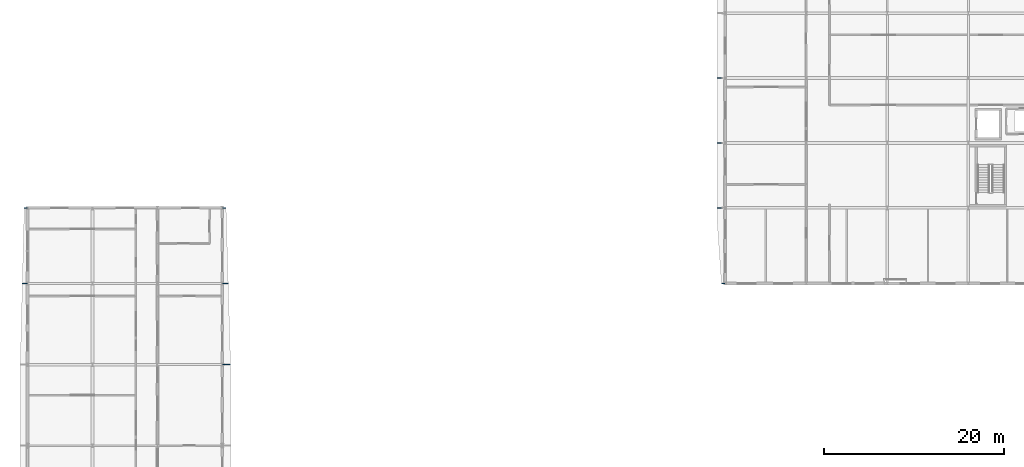
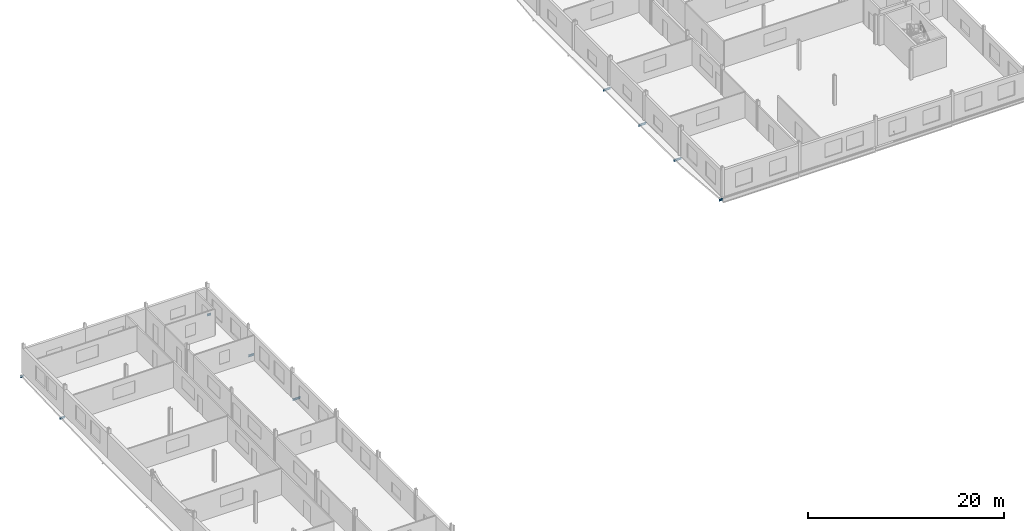
# One storey, part 13 of 30: 9 beams.
"""IFC4 building model written with IfcOpenShell, lengths in metres."""

import ifcopenshell
import ifcopenshell.guid

model = None  # the IFC model being written
_history = None  # IfcOwnerHistory: only IFC2X3 demands one
_inside = {}  # id of a spatial element -> (the spatial element, [elements in it])
_under = {}  # id of a project, library or spatial element -> (it, [spatial elements below it])
_declared = {}  # id of a project -> (the project, [libraries it declares])
_typed = {}  # id of a type object -> (the type object, [elements of that type])
_made_of = {}  # id of a material, layer set ... -> (it, [elements and type objects made of it])


def new_model(schema):
    """Start an empty IFC model of exactly this schema.

    Asked for "IFC4X3", IfcOpenShell would pick the latest addendum, in which some entities
    have other attributes; the version numbers below select the first issue.
    IFC2X3 requires an IfcOwnerHistory on every rooted entity: one is made here for all.
    """
    global model, _history
    if schema == "IFC4X3":
        model = ifcopenshell.file(schema_version=(4, 3, 0, 0))
    else:
        model = ifcopenshell.file(schema=schema)
    _inside.clear()
    _under.clear()
    _declared.clear()
    _typed.clear()
    _made_of.clear()
    _history = None
    if model.schema == "IFC2X3":
        org = make("IfcOrganization", Name="unknown")
        user = make(
            "IfcPersonAndOrganization",
            ThePerson=make("IfcPerson", FamilyName="unknown"),
            TheOrganization=org,
        )
        app = make(
            "IfcApplication",
            ApplicationDeveloper=org,
            Version="unknown",
            ApplicationFullName="unknown",
            ApplicationIdentifier="unknown",
        )
        _history = make(
            "IfcOwnerHistory",
            OwningUser=user,
            OwningApplication=app,
            ChangeAction="ADDED",
            CreationDate=0,
        )
    return model


def make(cls, **values):
    """One entity of the class cls with the attributes given. An attribute that is None is left unset."""
    return model.create_entity(
        cls, **{name: value for name, value in values.items() if value is not None}
    )


def rooted(cls, **values):
    """An entity with a GlobalId (a new one), such as an element, a storey or a relation."""
    return make(cls, GlobalId=ifcopenshell.guid.new(), OwnerHistory=_history, **values)


def si_unit(unit_type, name, prefix=None):
    """IfcSIUnit, for example si_unit("LENGTHUNIT", "METRE", prefix="MILLI")."""
    return make("IfcSIUnit", UnitType=unit_type, Prefix=prefix, Name=name)


def assignment(units):
    """IfcUnitAssignment: the units of a project."""
    return None if units is None else make("IfcUnitAssignment", Units=units)


def point(xyz):
    """IfcCartesianPoint."""
    return None if xyz is None else make("IfcCartesianPoint", Coordinates=xyz)


def direction(xyz):
    """IfcDirection."""
    return None if xyz is None else make("IfcDirection", DirectionRatios=xyz)


def frame(location, z_axis=None, x_axis=None):
    """IfcAxis2Placement3D, a coordinate frame: its origin and axes. An axis left out is left unset."""
    return make(
        "IfcAxis2Placement3D",
        Location=point(location),
        Axis=direction(z_axis),
        RefDirection=direction(x_axis),
    )


def frame_2d(location, x_axis=None):
    """IfcAxis2Placement2D, a coordinate frame in the plane: its origin and x axis."""
    return make(
        "IfcAxis2Placement2D", Location=point(location), RefDirection=direction(x_axis)
    )


def origin():
    """The frame at (0, 0, 0) with its axes left unset."""
    return frame((0.0, 0.0, 0.0))


def origin_2d():
    """The frame at (0, 0) in the plane with its x axis left unset."""
    return frame_2d((0.0, 0.0))


def place(relative_to, where):
    """IfcLocalPlacement: puts the frame where relative to a parent placement (None: the world)."""
    return make(
        "IfcLocalPlacement", PlacementRelTo=relative_to, RelativePlacement=where
    )


def context(
    kind, dimensions, precision=None, world=None, true_north=None, identifier=None
):
    """IfcGeometricRepresentationContext, for example the 3D "Model" context."""
    return make(
        "IfcGeometricRepresentationContext",
        ContextIdentifier=identifier,
        ContextType=kind,
        CoordinateSpaceDimension=dimensions,
        Precision=precision,
        WorldCoordinateSystem=world,
        TrueNorth=true_north,
    )


def subcontext(parent, identifier, kind, view, scale=None):
    """IfcGeometricRepresentationSubContext, for example "Body" below "Model"."""
    return make(
        "IfcGeometricRepresentationSubContext",
        ContextIdentifier=identifier,
        ContextType=kind,
        ParentContext=parent,
        TargetScale=scale,
        TargetView=view,
    )


def project(units=None, contexts=None):
    """IfcProject with its units and contexts."""
    return rooted(
        "IfcProject",
        Name="project",
        RepresentationContexts=contexts,
        UnitsInContext=assignment(units),
    )


def spatial(cls, under=None, at=None, **own):
    """A site, building, storey or space (cls), placed at a placement, below another one or the project."""
    s = rooted(cls, ObjectPlacement=at, **own)
    if under is not None:
        _under.setdefault(under.id(), (under, []))[1].append(s)
    return s


def profile(cls, at=None, kind="AREA", **sizes):
    """A parametric profile (cls). Its sizes go by their IFC names, for example OverallWidth=200.0."""
    return make(cls, ProfileType=kind, Position=at, **sizes)


def i_section(**sizes):
    """IfcIShapeProfileDef."""
    return profile("IfcIShapeProfileDef", **sizes)


def extrude(swept, where, along, depth):
    """IfcExtrudedAreaSolid: the profile swept, set in the frame where, extruded along a direction by depth."""
    return make(
        "IfcExtrudedAreaSolid",
        SweptArea=swept,
        Position=where,
        ExtrudedDirection=direction(along),
        Depth=depth,
    )


def shape(context_of_items, identifier, shape_type, items):
    """IfcShapeRepresentation: the items that make up one representation, for example the "Body"."""
    return make(
        "IfcShapeRepresentation",
        ContextOfItems=context_of_items,
        RepresentationIdentifier=identifier,
        RepresentationType=shape_type,
        Items=items,
    )


def material(Name=None, Category=None):
    """IfcMaterial."""
    return make("IfcMaterial", Name=Name, Category=Category)


def material_profile(
    of_material, cross_section, Name=None, Category=None, Priority=None
):
    """IfcMaterialProfile: a cross section and its material."""
    return make(
        "IfcMaterialProfile",
        Name=Name,
        Material=of_material,
        Profile=cross_section,
        Priority=Priority,
        Category=Category,
    )


def profile_set(profiles, Name=None, composite=None):
    """IfcMaterialProfileSet."""
    return make(
        "IfcMaterialProfileSet",
        Name=Name,
        MaterialProfiles=profiles,
        CompositeProfile=composite,
    )


def made_of(thing, what):
    """Note that an element or type object is made of a material, layer set ...; save() writes the relation."""
    if what is not None:
        _made_of.setdefault(what.id(), (what, []))[1].append(thing)
    return thing


def type_object(cls, material=None, **own):
    """A type object (cls), such as IfcWallType, which elements share."""
    return made_of(rooted(cls, **own), material)


def element(
    cls,
    number,
    at=None,
    inside=None,
    cuts=None,
    type_object=None,
    material=None,
    context=None,
    identifier="Body",
    shape_type=None,
    held_by="IfcProductDefinitionShape",
    body=None,
    shapes=None,
    **own,
):
    """One element of the class cls, such as IfcWall. Its Tag is "e" and its number.

    at: its placement. inside: the storey or other place that contains it. cuts: it is an
    opening in that element (IfcRelVoidsElement). A single representation is given by context,
    identifier, shape_type and body (its items); several are given by shapes. held_by: the class
    of the entity that holds the representations. save() writes the other relations.
    """
    e = rooted(cls, Tag="e%d" % number, ObjectPlacement=at, **own)
    if body is not None:
        shapes = [shape(context, identifier, shape_type, body)]
    if shapes is not None:
        e.Representation = make(held_by, Representations=shapes)
    if inside is not None:
        _inside.setdefault(inside.id(), (inside, []))[1].append(e)
    if cuts is not None:
        rooted(
            "IfcRelVoidsElement", RelatingBuildingElement=cuts, RelatedOpeningElement=e
        )
    if type_object is not None:
        _typed.setdefault(type_object.id(), (type_object, []))[1].append(e)
    return made_of(e, material)


def aggregate(whole, parts):
    """IfcRelAggregates: a whole, such as a stair, and the parts it consists of."""
    return rooted("IfcRelAggregates", RelatingObject=whole, RelatedObjects=parts)


def save(model, path):
    """Write the relations noted so far, then the file.

    IfcRelAggregates (storeys below a building ...), IfcRelContainedInSpatialStructure (elements
    in a storey), IfcRelDefinesByType, IfcRelAssociatesMaterial and IfcRelDeclares: one each for
    every whole, place, type object, material and project.
    """
    for whole, parts in _under.values():
        aggregate(whole, parts)
    for where, things in _inside.values():
        rooted(
            "IfcRelContainedInSpatialStructure",
            RelatedElements=things,
            RelatingStructure=where,
        )
    for kind, things in _typed.values():
        rooted("IfcRelDefinesByType", RelatedObjects=things, RelatingType=kind)
    for what, things in _made_of.values():
        rooted("IfcRelAssociatesMaterial", RelatedObjects=things, RelatingMaterial=what)
    for by, libraries in _declared.values():
        rooted("IfcRelDeclares", RelatingContext=by, RelatedDefinitions=libraries)
    model.write(path)


model = new_model("IFC4")

# Units and contexts
model_context = context("Model", 3, precision=1e-05, world=origin(), true_north=direction((0.0, 1.0)))
body_context = subcontext(model_context, "Body", "Model", "MODEL_VIEW")
ifc_project = project(units=[si_unit("LENGTHUNIT", "METRE"), si_unit("AREAUNIT", "SQUARE_METRE"), si_unit("VOLUMEUNIT", "CUBIC_METRE"), si_unit("PLANEANGLEUNIT", "RADIAN"), si_unit("MASSUNIT", "GRAM", prefix="KILO")], contexts=[model_context])

# Site, building, storey
site_placement = place(None, origin())
site = spatial("IfcSite", under=ifc_project, at=site_placement, CompositionType="ELEMENT")
building_placement = place(site_placement, origin())
building = spatial("IfcBuilding", under=site, at=building_placement, Name="Vinh Khe Railworks Police Headquarters", CompositionType="ELEMENT")
storey_placement = place(building_placement, frame((0.0, 0.0, 21.0)))
storey = spatial("IfcBuildingStorey", under=building, at=storey_placement, Name="L05", CompositionType="ELEMENT", Elevation=21.0)

# Beams
ifc_material = material(Name="Steel S355JR", Category="steel")
ifc_material_profile = material_profile(ifc_material, i_section(OverallWidth=0.1201171875, OverallDepth=0.239990234375, WebThickness=0.006103515625, FlangeThickness=0.009765625, FilletRadius=0.014892578125, at=origin_2d()), Name="IPE 240")
ifc_profile_set = profile_set([ifc_material_profile], Name="Steel S355JR")
beam_type = type_object("IfcBeamType", Name="Monsoon Hood Outrigger IPE 240", PredefinedType="BEAM", material=ifc_profile_set)
beam_1_placement = place(storey_placement, frame((-0.002197265625, 122.39990234375, -0.360107421875), z_axis=(1.0, 0.0, 0.0), x_axis=(0.0, 1.0, 0.0)))
element("IfcBeam", 1, at=beam_1_placement, inside=storey, type_object=beam_type, Name="Monsoon Sun-Hood Outrigger L05-095", PredefinedType="BEAM", context=body_context, shape_type="SweptSolid", body=[
    extrude(i_section(OverallWidth=0.1201171875, OverallDepth=0.239990234375, WebThickness=0.006103515625, FlangeThickness=0.009765625, FilletRadius=0.014892578125, at=origin_2d()), origin(), (0.0, 0.0, 1.0), 0.602294921875),
])
beam_2_placement = place(storey_placement, frame((0.21142578125, 130.800048828125, -0.360107421875), z_axis=(1.0, 0.0, 0.0), x_axis=(0.0, 1.0, 0.0)))
element("IfcBeam", 2, at=beam_2_placement, inside=storey, type_object=beam_type, Name="Monsoon Sun-Hood Outrigger L05-096", PredefinedType="BEAM", context=body_context, shape_type="SweptSolid", body=[
    extrude(i_section(OverallWidth=0.1201171875, OverallDepth=0.239990234375, WebThickness=0.006103515625, FlangeThickness=0.009765625, FilletRadius=0.014892578125, at=origin_2d()), origin(), (0.0, 0.0, 1.0), 0.388671875),
])
beam_3_placement = place(storey_placement, frame((22.199951171875, 113.39990234375, -0.360107421875), z_axis=(1.0, 0.0, 0.0), x_axis=(0.0, 1.0, 0.0)))
element("IfcBeam", 3, at=beam_3_placement, inside=storey, type_object=beam_type, Name="Monsoon Sun-Hood Outrigger L05-106", PredefinedType="BEAM", context=body_context, shape_type="SweptSolid", body=[
    extrude(i_section(OverallWidth=0.1201171875, OverallDepth=0.239990234375, WebThickness=0.006103515625, FlangeThickness=0.009765625, FilletRadius=0.014892578125, at=origin_2d()), origin(), (0.0, 0.0, 1.0), 0.928466796875),
])
beam_4_placement = place(storey_placement, frame((22.199951171875, 122.39990234375, -0.360107421875), z_axis=(1.0, 0.0, 0.0), x_axis=(0.0, 1.0, 0.0)))
element("IfcBeam", 4, at=beam_4_placement, inside=storey, type_object=beam_type, Name="Monsoon Sun-Hood Outrigger L05-107", PredefinedType="BEAM", context=body_context, shape_type="SweptSolid", body=[
    extrude(i_section(OverallWidth=0.1201171875, OverallDepth=0.239990234375, WebThickness=0.006103515625, FlangeThickness=0.009765625, FilletRadius=0.014892578125, at=origin_2d()), origin(), (0.0, 0.0, 1.0), 0.667236328125),
])
beam_5_placement = place(storey_placement, frame((22.199951171875, 130.800048828125, -0.360107421875), z_axis=(1.0, 0.0, 0.0), x_axis=(0.0, 1.0, 0.0)))
element("IfcBeam", 5, at=beam_5_placement, inside=storey, type_object=beam_type, Name="Monsoon Sun-Hood Outrigger L05-108", PredefinedType="BEAM", context=body_context, shape_type="SweptSolid", body=[
    extrude(i_section(OverallWidth=0.1201171875, OverallDepth=0.239990234375, WebThickness=0.006103515625, FlangeThickness=0.009765625, FilletRadius=0.014892578125, at=origin_2d()), origin(), (0.0, 0.0, 1.0), 0.423583984375),
])
beam_6_placement = place(storey_placement, frame((77.58740234375, 122.39990234375, -0.360107421875), z_axis=(1.0, 0.0, 0.0), x_axis=(0.0, 1.0, 0.0)))
element("IfcBeam", 6, at=beam_6_placement, inside=storey, type_object=beam_type, Name="Monsoon Sun-Hood Outrigger L05-229", PredefinedType="BEAM", context=body_context, shape_type="SweptSolid", body=[
    extrude(i_section(OverallWidth=0.1201171875, OverallDepth=0.239990234375, WebThickness=0.006103515625, FlangeThickness=0.009765625, FilletRadius=0.014892578125, at=origin_2d()), origin(), (0.0, 0.0, 1.0), 0.41259765625),
])
for number, where, z_axis, x_axis, name in (
    (7, (77.10009765625, 130.800048828125, -0.360107421875), (1.0, 0.0, 0.0), (0.0, 1.0, 0.0), "Monsoon Sun-Hood Outrigger L05-230"),
    (8, (77.10009765625, 138.0, -0.360107421875), (1.0, 0.0, 0.0), (0.0, 1.0, 0.0), "Monsoon Sun-Hood Outrigger L05-231"),
    (9, (77.10009765625, 145.199951171875, -0.360107421875), (1.0, 0.0, 0.0), (0.0, 1.0, 0.0), "Monsoon Sun-Hood Outrigger L05-232"),
):
    element("IfcBeam", number, at=place(storey_placement, frame(where, z_axis=z_axis, x_axis=x_axis)), inside=storey, type_object=beam_type, Name=name, PredefinedType="BEAM", context=body_context, shape_type="SweptSolid", body=[
        extrude(i_section(OverallWidth=0.1201171875, OverallDepth=0.239990234375, WebThickness=0.006103515625, FlangeThickness=0.009765625, FilletRadius=0.014892578125, at=origin_2d()), origin(), (0.0, 0.0, 1.0), 0.89990234375),
    ])

save(model, "model.ifc")
